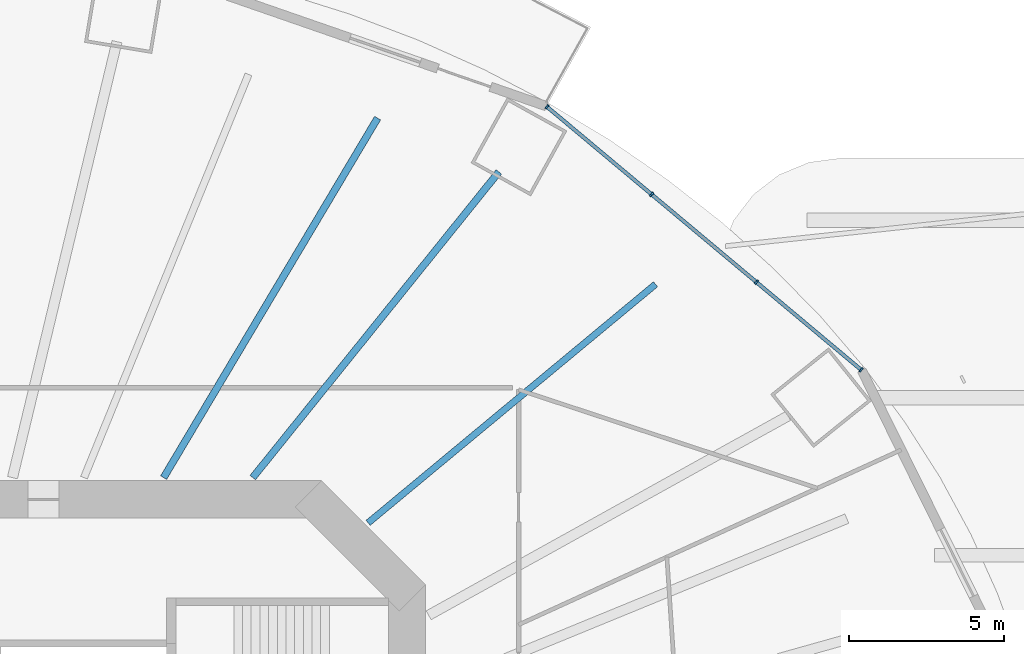
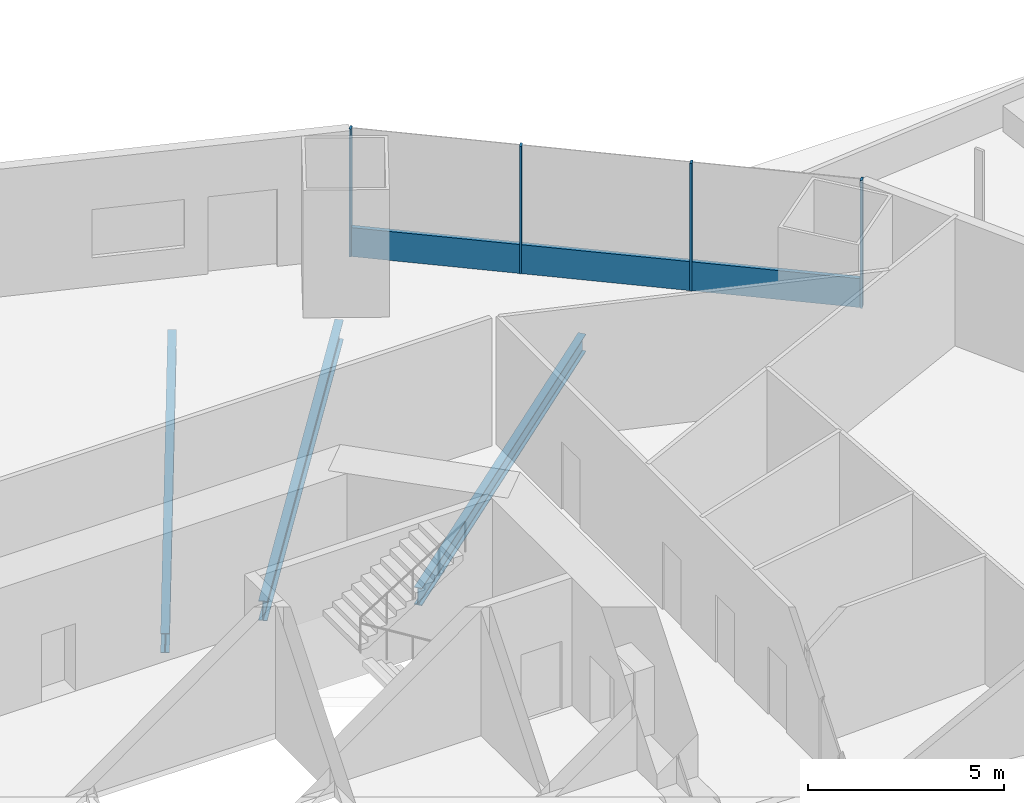
# One storey, part 15 of 27: 5 members, 3 beams, 1 element without a shape of its own.
"""IFC4 building model written with IfcOpenShell, lengths in metres."""

from ifc_helpers import new_model, si_unit, direction, frame, origin, origin_2d, place, context, subcontext, project, spatial, rectangle, i_section, extrude, material, material_profile, profile_set, type_object, element, aggregate, save


model = new_model("IFC4")

# Units and contexts
model_context = context("Model", 3, precision=1e-05, world=origin(), true_north=direction((0.0, 1.0)))
body_context = subcontext(model_context, "Body", "Model", "MODEL_VIEW")
ifc_project = project(units=[si_unit("LENGTHUNIT", "METRE"), si_unit("AREAUNIT", "SQUARE_METRE"), si_unit("VOLUMEUNIT", "CUBIC_METRE"), si_unit("PLANEANGLEUNIT", "RADIAN"), si_unit("MASSUNIT", "GRAM", prefix="KILO")], contexts=[model_context])

# Site, building, storey
site_placement = place(None, origin())
site = spatial("IfcSite", under=ifc_project, at=site_placement, CompositionType="ELEMENT")
building_placement = place(site_placement, origin())
building = spatial("IfcBuilding", under=site, at=building_placement, Name="Marenthal Gate Tower", CompositionType="ELEMENT")
storey_placement = place(building_placement, frame((0.0, 0.0, 33.0)))
storey = spatial("IfcBuildingStorey", under=building, at=storey_placement, Name="L04", CompositionType="ELEMENT", Elevation=33.0)

# Curtain wall, members
ifc_material_1 = material(Name="Aluminium and glass", Category="aluminium")
curtain_wall_type = type_object("IfcCurtainWallType", Name="Curtain wall typical low", PredefinedType="NOTDEFINED", material=ifc_material_1)
curtain_wall_placement = place(storey_placement, origin())
curtain_wall = element("IfcCurtainWall", 1, at=curtain_wall_placement, inside=storey, type_object=curtain_wall_type, Name="Curtain wall L04 bay 2", PredefinedType="NOTDEFINED")
ifc_material_2 = material(Name="Aluminium", Category="aluminium")
ifc_material_profile_1 = material_profile(ifc_material_2, rectangle(XDim=0.159912109375, YDim=0.06005859375, at=origin_2d()), Name="60x160 aluminium mullion")
ifc_profile_set_1 = profile_set([ifc_material_profile_1], Name="Aluminium")
member_type_1 = type_object("IfcMemberType", Name="Mullion 60x160 typical low", PredefinedType="MULLION", material=ifc_profile_set_1)
member_1_placement = place(storey_placement, frame((30.6416015625, 17.17529296875, 0.0), z_axis=(0.0, 0.0, 1.0), x_axis=(-0.641982192245, -0.76671954771, 0.0)))
member_1 = element("IfcMember", 2, at=member_1_placement, type_object=member_type_1, Name="Mullion L04 bay 2.1", PredefinedType="MULLION", context=body_context, shape_type="SweptSolid", body=[
    extrude(rectangle(XDim=0.159912109375, YDim=0.06005859375, at=origin_2d()), origin(), (0.0, 0.0, 1.0), 3.969970703125),
])
member_2_placement = place(storey_placement, frame((27.26513671875, 20.00244140625, 0.0), z_axis=(0.0, 0.0, 1.0), x_axis=(-0.641982192245, -0.76671954771, 0.0)))
member_2 = element("IfcMember", 3, at=member_2_placement, type_object=member_type_1, Name="Mullion L04 bay 2.2", PredefinedType="MULLION", context=body_context, shape_type="SweptSolid", body=[
    extrude(rectangle(XDim=0.159912109375, YDim=0.06005859375, at=origin_2d()), origin(), (0.0, 0.0, 1.0), 3.969970703125),
])
member_3_placement = place(storey_placement, frame((23.888671875, 22.829345703125, 0.0), z_axis=(0.0, 0.0, 1.0), x_axis=(-0.641982192245, -0.76671954771, 0.0)))
member_3 = element("IfcMember", 4, at=member_3_placement, type_object=member_type_1, Name="Mullion L04 bay 2.3", PredefinedType="MULLION", context=body_context, shape_type="SweptSolid", body=[
    extrude(rectangle(XDim=0.159912109375, YDim=0.06005859375, at=origin_2d()), origin(), (0.0, 0.0, 1.0), 3.969970703125),
])
member_4_placement = place(storey_placement, frame((20.512451171875, 25.656494140625, 0.0), z_axis=(0.0, 0.0, 1.0), x_axis=(-0.641982192245, -0.76671954771, 0.0)))
member_4 = element("IfcMember", 5, at=member_4_placement, type_object=member_type_1, Name="Mullion L04 bay 2.4", PredefinedType="MULLION", context=body_context, shape_type="SweptSolid", body=[
    extrude(rectangle(XDim=0.159912109375, YDim=0.06005859375, at=origin_2d()), origin(), (0.0, 0.0, 1.0), 3.969970703125),
])
ifc_material_3 = material(Name="Aluminium", Category="aluminium")
ifc_material_profile_2 = material_profile(ifc_material_3, rectangle(XDim=0.1201171875, YDim=0.89990234375, at=origin_2d()), Name="120x900 aluminium transom")
ifc_profile_set_2 = profile_set([ifc_material_profile_2], Name="Aluminium")
member_type_2 = type_object("IfcMemberType", Name="Transom 120x900 typical low", PredefinedType="USERDEFINED", material=ifc_profile_set_2)
member_5_placement = place(storey_placement, frame((30.61865234375, 17.194580078125, 0.449951171875), z_axis=(-0.766726434385, 0.641973967397, 0.0), x_axis=(-0.641973967397, -0.766726434385, 0.0)))
member_5 = element("IfcMember", 6, at=member_5_placement, type_object=member_type_2, Name="Transom L04 bay 2", ObjectType="TRANSOM", PredefinedType="USERDEFINED", context=body_context, shape_type="SweptSolid", body=[
    extrude(rectangle(XDim=0.1201171875, YDim=0.89990234375, at=origin_2d()), origin(), (0.0, 0.0, 1.0), 13.151123046875),
])
aggregate(curtain_wall, [member_1, member_2, member_3, member_4, member_5])

# Beams
ifc_material_4 = material(Name="Steel S355", Category="steel")
ifc_material_profile_3 = material_profile(ifc_material_4, i_section(OverallWidth=0.2119140625, OverallDepth=0.5439453125, WebThickness=0.01318359375, FlangeThickness=0.021240234375, FilletRadius=0.0126953125, at=origin_2d()), Name="W530X123")
ifc_profile_set_3 = profile_set([ifc_material_profile_3], Name="Steel S355")
beam_type_1 = type_object("IfcBeamType", Name="W530X123 beam", PredefinedType="BEAM", material=ifc_profile_set_3)
beam_1_placement = place(storey_placement, frame((24.014404296875, 19.9326171875, -0.451904296875), z_axis=(-0.76947943944, -0.638671584055, 0.0), x_axis=(0.638671584055, -0.76947943944, 0.0)))
element("IfcBeam", 7, at=beam_1_placement, inside=storey, type_object=beam_type_1, Name="BM-L04-19", PredefinedType="BEAM", context=body_context, shape_type="SweptSolid", body=[
    extrude(i_section(OverallWidth=0.2119140625, OverallDepth=0.5439453125, WebThickness=0.01318359375, FlangeThickness=0.021240234375, FilletRadius=0.0126953125, at=origin_2d()), origin(), (0.0, 0.0, 1.0), 12.0419921875),
])
ifc_material_5 = material(Name="Steel S355", Category="steel")
ifc_material_profile_4 = material_profile(ifc_material_5, i_section(OverallWidth=0.22900390625, OverallDepth=0.612060546875, WebThickness=0.011962890625, FlangeThickness=0.01953125, FilletRadius=0.0126953125, at=origin_2d()), Name="W610X125")
ifc_profile_set_4 = profile_set([ifc_material_profile_4], Name="Steel S355")
beam_type_2 = type_object("IfcBeamType", Name="W610X125 beam", PredefinedType="BEAM", material=ifc_profile_set_4)
beam_2_placement = place(storey_placement, frame((18.962646484375, 23.555908203125, -0.486083984375), z_axis=(-0.627068808797, -0.778963868889, 0.0), x_axis=(0.778963868889, -0.627068808797, 0.0)))
element("IfcBeam", 8, at=beam_2_placement, inside=storey, type_object=beam_type_2, Name="BM-L04-03", PredefinedType="BEAM", context=body_context, shape_type="SweptSolid", body=[
    extrude(i_section(OverallWidth=0.22900390625, OverallDepth=0.612060546875, WebThickness=0.011962890625, FlangeThickness=0.01953125, FilletRadius=0.0126953125, at=origin_2d()), origin(), (0.0, 0.0, 1.0), 12.652587890625),
])
beam_3_placement = place(storey_placement, frame((15.05419921875, 25.2900390625, -0.486083984375), z_axis=(-0.51150072514, -0.859282845273, 0.0), x_axis=(0.859282845273, -0.51150072514, 0.0)))
element("IfcBeam", 9, at=beam_3_placement, inside=storey, type_object=beam_type_2, Name="BM-L04-20", PredefinedType="BEAM", context=body_context, shape_type="SweptSolid", body=[
    extrude(i_section(OverallWidth=0.22900390625, OverallDepth=0.612060546875, WebThickness=0.011962890625, FlangeThickness=0.01953125, FilletRadius=0.0126953125, at=origin_2d()), origin(), (0.0, 0.0, 1.0), 13.488037109375),
])

save(model, "model.ifc")
